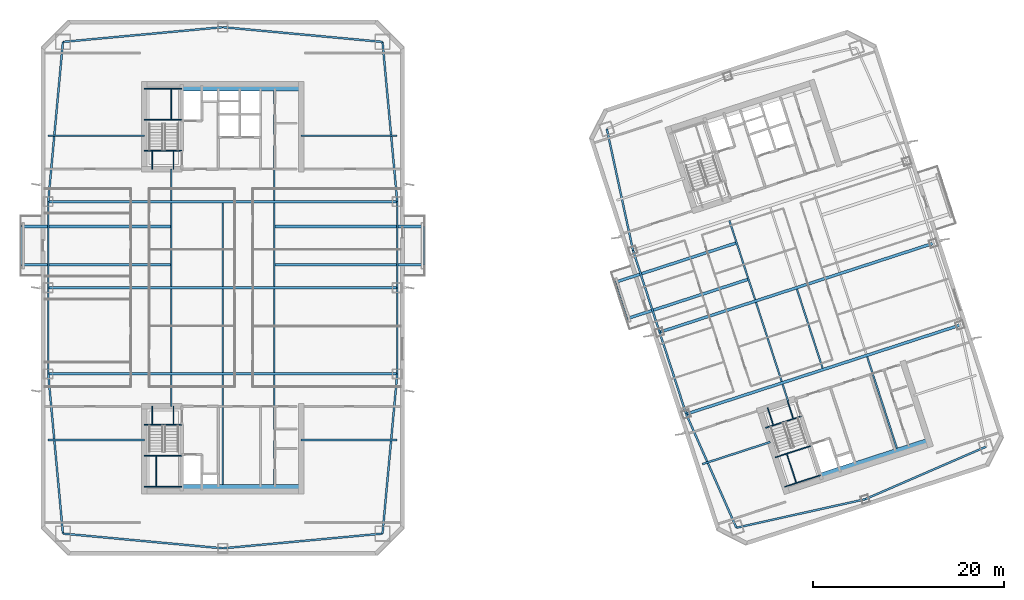
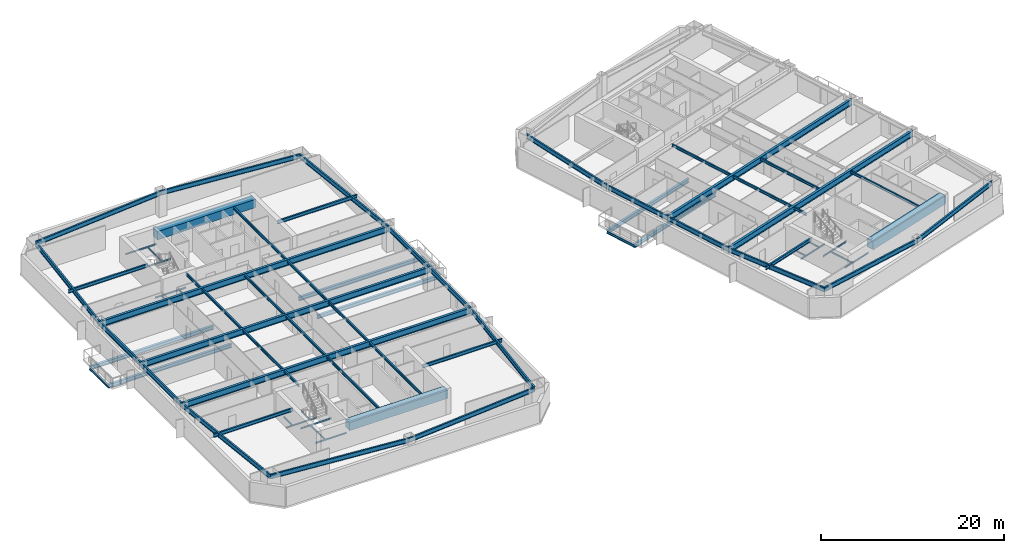
# One storey, part 3 of 17: 74 beams.
"""IFC4 building model written with IfcOpenShell, lengths in metres."""

from ifc_helpers import new_model, si_unit, direction, frame, origin, origin_2d, place, context, subcontext, project, spatial, rectangle, i_section, extrude, material, material_profile, profile_set, type_object, element, save


model = new_model("IFC4")

# Units and contexts
model_context = context("Model", 3, precision=1e-05, world=origin(), true_north=direction((0.0, 1.0)))
body_context = subcontext(model_context, "Body", "Model", "MODEL_VIEW")
ifc_project = project(units=[si_unit("LENGTHUNIT", "METRE"), si_unit("AREAUNIT", "SQUARE_METRE"), si_unit("VOLUMEUNIT", "CUBIC_METRE"), si_unit("PLANEANGLEUNIT", "RADIAN"), si_unit("MASSUNIT", "GRAM", prefix="KILO")], contexts=[model_context])

# Site, building, storey
site_placement = place(None, origin())
site = spatial("IfcSite", under=ifc_project, at=site_placement, CompositionType="ELEMENT")
building_placement = place(site_placement, origin())
building = spatial("IfcBuilding", under=site, at=building_placement, Name="Qiaolan Cultural Towers", CompositionType="ELEMENT")
storey_placement = place(building_placement, frame((0.0, 0.0, 142.60009765625)))
storey = spatial("IfcBuildingStorey", under=building, at=storey_placement, Name="L37", CompositionType="ELEMENT", Elevation=142.60009765625)

# Beams
ifc_material_1 = material(Name="Steel Q355B", Category="steel")
ifc_material_profile_1 = material_profile(ifc_material_1, i_section(OverallWidth=0.300048828125, OverallDepth=0.488037109375, WebThickness=0.010986328125, FlangeThickness=0.01806640625, at=origin_2d()), Name="HM488x300x11x18")
ifc_profile_set_1 = profile_set([ifc_material_profile_1], Name="Steel Q355B")
beam_type_1 = type_object("IfcBeamType", Name="BM-HM488x300x11x18", PredefinedType="BEAM", material=ifc_profile_set_1)
for number, where, z_axis, x_axis, name in (
    (1, (24.60009765625, 36.39990234375, -0.524169921875), (-1.0, 0.0, 0.0), (0.0, -1.0, 0.0), "L37 T1 Tree Balcony Back-Spanned Bracket Beam"),
    (2, (24.60009765625, 40.39990234375, -0.524169921875), (-1.0, 0.0, 0.0), (0.0, -1.0, 0.0), "L37 T1 Tree Balcony Back-Spanned Bracket Beam"),
    (3, (35.39990234375, 36.39990234375, -0.524169921875), (1.0, 0.0, 0.0), (0.0, 1.0, 0.0), "L37 T1 Tree Balcony Back-Spanned Bracket Beam"),
    (4, (35.39990234375, 40.39990234375, -0.524169921875), (1.0, 0.0, 0.0), (0.0, 1.0, 0.0), "L37 T1 Tree Balcony Back-Spanned Bracket Beam"),
):
    element("IfcBeam", number, at=place(storey_placement, frame(where, z_axis=z_axis, x_axis=x_axis)), inside=storey, type_object=beam_type_1, Name=name, PredefinedType="BEAM", context=body_context, shape_type="SweptSolid", body=[
        extrude(i_section(OverallWidth=0.300048828125, OverallDepth=0.488037109375, WebThickness=0.010986328125, FlangeThickness=0.01806640625, at=origin_2d()), origin(), (0.0, 0.0, 1.0), 15.650146484375),
    ])
for number, where, z_axis, x_axis, name in (
    (5, (84.978515625, 34.891845703125, -0.524169921875), (-0.951058928428, -0.309009570496, 0.0), (0.309009570496, -0.951058928428, 0.0), "L37 T2 Tree Balcony Back-Spanned Bracket Beam"),
    (6, (83.742431640625, 38.6962890625, -0.524169921875), (-0.951053553769, -0.309026111943, 0.0), (0.309026111943, -0.951053553769, 0.0), "L37 T2 Tree Balcony Back-Spanned Bracket Beam"),
):
    element("IfcBeam", number, at=place(storey_placement, frame(where, z_axis=z_axis, x_axis=x_axis)), inside=storey, type_object=beam_type_1, Name=name, PredefinedType="BEAM", context=body_context, shape_type="SweptSolid", body=[
        extrude(i_section(OverallWidth=0.300048828125, OverallDepth=0.488037109375, WebThickness=0.010986328125, FlangeThickness=0.01806640625, at=origin_2d()), origin(), (0.0, 0.0, 1.0), 13.349853515625),
    ])
ifc_material_2 = material(Name="Steel Q355B", Category="steel")
ifc_material_profile_2 = material_profile(ifc_material_2, i_section(OverallWidth=0.300048828125, OverallDepth=0.800048828125, WebThickness=0.013916015625, FlangeThickness=0.02587890625, at=origin_2d()), Name="HN800x300x14x26")
ifc_profile_set_2 = profile_set([ifc_material_profile_2], Name="Steel Q355B")
beam_type_2 = type_object("IfcBeamType", Name="BM-HN800x300x14x26", PredefinedType="BEAM", material=ifc_profile_set_2)
for number, where, z_axis, x_axis, name in (
    (7, (11.75, 25.0, 2.789794921875), (1.0, 0.0, 0.0), (0.0, 1.0, 0.0), "L37 T1 Primary Transverse Girder V1"),
    (8, (11.75, 34.0, 2.789794921875), (1.0, 0.0, 0.0), (0.0, 1.0, 0.0), "L37 T1 Primary Transverse Girder V2"),
    (9, (11.75, 43.0, 2.789794921875), (1.0, 0.0, 0.0), (0.0, 1.0, 0.0), "L37 T1 Primary Transverse Girder V3"),
):
    element("IfcBeam", number, at=place(storey_placement, frame(where, z_axis=z_axis, x_axis=x_axis)), inside=storey, type_object=beam_type_2, Name=name, PredefinedType="BEAM", context=body_context, shape_type="SweptSolid", body=[
        extrude(i_section(OverallWidth=0.300048828125, OverallDepth=0.800048828125, WebThickness=0.013916015625, FlangeThickness=0.02587890625, at=origin_2d()), origin(), (0.0, 0.0, 1.0), 36.5),
    ])
beam_1_placement = place(storey_placement, frame((78.4677734375, 20.789794921875, 2.789794921875), z_axis=(0.951055226628, 0.309020963535, 0.0), x_axis=(-0.309020963535, 0.951055226628, 0.0)))
element("IfcBeam", 10, at=beam_1_placement, inside=storey, type_object=beam_type_2, Name="L37 T2 Primary Transverse Girder V1", PredefinedType="BEAM", context=body_context, shape_type="SweptSolid", body=[
    extrude(i_section(OverallWidth=0.300048828125, OverallDepth=0.800048828125, WebThickness=0.013916015625, FlangeThickness=0.02587890625, at=origin_2d()), origin(), (0.0, 0.0, 1.0), 30.099853515625),
])
beam_2_placement = place(storey_placement, frame((75.6865234375, 29.349365234375, 2.789794921875), z_axis=(0.951058384903, 0.309011243331, 0.0), x_axis=(-0.309011243331, 0.951058384903, 0.0)))
element("IfcBeam", 11, at=beam_2_placement, inside=storey, type_object=beam_type_2, Name="L37 T2 Primary Transverse Girder V2", PredefinedType="BEAM", context=body_context, shape_type="SweptSolid", body=[
    extrude(i_section(OverallWidth=0.300048828125, OverallDepth=0.800048828125, WebThickness=0.013916015625, FlangeThickness=0.02587890625, at=origin_2d()), origin(), (0.0, 0.0, 1.0), 30.10009765625),
])
ifc_material_3 = material(Name="Steel Q355B", Category="steel")
ifc_material_profile_3 = material_profile(ifc_material_3, i_section(OverallWidth=0.175048828125, OverallDepth=0.35009765625, WebThickness=0.007080078125, FlangeThickness=0.010986328125, at=origin_2d()), Name="HN350x175x7x11")
ifc_profile_set_3 = profile_set([ifc_material_profile_3], Name="Steel Q355B")
beam_type_3 = type_object("IfcBeamType", Name="BM-JST-HN350x175x7x11", PredefinedType="JOIST", material=ifc_profile_set_3)
for number, where, z_axis, x_axis, name in (
    (12, (8.949951171875, 36.39990234375, -0.524169921875), (0.0, 1.0, 0.0), (-1.0, 0.0, 0.0), "L37 T1 Tree Balcony Outer Edge Beam"),
    (13, (51.050048828125, 36.39990234375, -0.524169921875), (0.0, 1.0, 0.0), (-1.0, 0.0, 0.0), "L37 T1 Tree Balcony Outer Edge Beam"),
    (14, (72.281982421875, 30.7666015625, -0.524169921875), (-0.309022586479, 0.951054699292, 0.0), (-0.951054699292, -0.309022586479, 0.0), "L37 T2 Tree Balcony Outer Edge Beam"),
):
    element("IfcBeam", number, at=place(storey_placement, frame(where, z_axis=z_axis, x_axis=x_axis)), inside=storey, type_object=beam_type_3, Name=name, PredefinedType="JOIST", context=body_context, shape_type="SweptSolid", body=[
        extrude(i_section(OverallWidth=0.175048828125, OverallDepth=0.35009765625, WebThickness=0.007080078125, FlangeThickness=0.010986328125, at=origin_2d()), origin(), (0.0, 0.0, 1.0), 4.0),
    ])
beam_3_placement = place(storey_placement, frame((24.60009765625, 21.60009765625, 3.014892578125), z_axis=(0.0, 1.0, 0.0), x_axis=(-1.0, 0.0, 0.0)))
element("IfcBeam", 15, at=beam_3_placement, inside=storey, type_object=beam_type_3, Name="L37 T1 Secondary Floor Joist U1-1", PredefinedType="JOIST", context=body_context, shape_type="SweptSolid", body=[
    extrude(i_section(OverallWidth=0.175048828125, OverallDepth=0.35009765625, WebThickness=0.007080078125, FlangeThickness=0.010986328125, at=origin_2d()), origin(), (0.0, 0.0, 1.0), 3.25),
])
for number, where, z_axis, x_axis, name in (
    (16, (24.60009765625, 25.14990234375, 3.014892578125), (0.0, 1.0, 0.0), (-1.0, 0.0, 0.0), "L37 T1 Secondary Floor Joist U1-2"),
    (17, (24.60009765625, 34.14990234375, 3.014892578125), (0.0, 1.0, 0.0), (-1.0, 0.0, 0.0), "L37 T1 Secondary Floor Joist U1-3"),
):
    element("IfcBeam", number, at=place(storey_placement, frame(where, z_axis=z_axis, x_axis=x_axis)), inside=storey, type_object=beam_type_3, Name=name, PredefinedType="JOIST", context=body_context, shape_type="SweptSolid", body=[
        extrude(i_section(OverallWidth=0.175048828125, OverallDepth=0.35009765625, WebThickness=0.007080078125, FlangeThickness=0.010986328125, at=origin_2d()), origin(), (0.0, 0.0, 1.0), 8.7001953125),
    ])
beam_4_placement = place(storey_placement, frame((24.60009765625, 43.14990234375, 3.014892578125), z_axis=(0.0, 1.0, 0.0), x_axis=(-1.0, 0.0, 0.0)))
element("IfcBeam", 18, at=beam_4_placement, inside=storey, type_object=beam_type_3, Name="L37 T1 Secondary Floor Joist U1-4", PredefinedType="JOIST", context=body_context, shape_type="SweptSolid", body=[
    extrude(i_section(OverallWidth=0.175048828125, OverallDepth=0.35009765625, WebThickness=0.007080078125, FlangeThickness=0.010986328125, at=origin_2d()), origin(), (0.0, 0.0, 1.0), 3.25),
])
beam_5_placement = place(storey_placement, frame((30.0, 13.39990234375, 3.014892578125), z_axis=(0.0, 1.0, 0.0), x_axis=(-1.0, 0.0, 0.0)))
element("IfcBeam", 19, at=beam_5_placement, inside=storey, type_object=beam_type_3, Name="L37 T1 Secondary Floor Joist U2-1", PredefinedType="JOIST", context=body_context, shape_type="SweptSolid", body=[
    extrude(i_section(OverallWidth=0.175048828125, OverallDepth=0.35009765625, WebThickness=0.007080078125, FlangeThickness=0.010986328125, at=origin_2d()), origin(), (0.0, 0.0, 1.0), 11.4501953125),
])
for number, where, z_axis, x_axis, name in (
    (20, (30.0, 25.14990234375, 3.014892578125), (0.0, 1.0, 0.0), (-1.0, 0.0, 0.0), "L37 T1 Secondary Floor Joist U2-2"),
    (21, (30.0, 34.14990234375, 3.014892578125), (0.0, 1.0, 0.0), (-1.0, 0.0, 0.0), "L37 T1 Secondary Floor Joist U2-3"),
):
    element("IfcBeam", number, at=place(storey_placement, frame(where, z_axis=z_axis, x_axis=x_axis)), inside=storey, type_object=beam_type_3, Name=name, PredefinedType="JOIST", context=body_context, shape_type="SweptSolid", body=[
        extrude(i_section(OverallWidth=0.175048828125, OverallDepth=0.35009765625, WebThickness=0.007080078125, FlangeThickness=0.010986328125, at=origin_2d()), origin(), (0.0, 0.0, 1.0), 8.7001953125),
    ])
beam_6_placement = place(storey_placement, frame((35.39990234375, 13.39990234375, 3.014892578125), z_axis=(0.0, 1.0, 0.0), x_axis=(-1.0, 0.0, 0.0)))
element("IfcBeam", 22, at=beam_6_placement, inside=storey, type_object=beam_type_3, Name="L37 T1 Secondary Floor Joist U3-1", PredefinedType="JOIST", context=body_context, shape_type="SweptSolid", body=[
    extrude(i_section(OverallWidth=0.175048828125, OverallDepth=0.35009765625, WebThickness=0.007080078125, FlangeThickness=0.010986328125, at=origin_2d()), origin(), (0.0, 0.0, 1.0), 11.4501953125),
])
for number, where, z_axis, x_axis, name in (
    (23, (35.39990234375, 25.14990234375, 3.014892578125), (0.0, 1.0, 0.0), (-1.0, 0.0, 0.0), "L37 T1 Secondary Floor Joist U3-2"),
    (24, (35.39990234375, 34.14990234375, 3.014892578125), (0.0, 1.0, 0.0), (-1.0, 0.0, 0.0), "L37 T1 Secondary Floor Joist U3-3"),
):
    element("IfcBeam", number, at=place(storey_placement, frame(where, z_axis=z_axis, x_axis=x_axis)), inside=storey, type_object=beam_type_3, Name=name, PredefinedType="JOIST", context=body_context, shape_type="SweptSolid", body=[
        extrude(i_section(OverallWidth=0.175048828125, OverallDepth=0.35009765625, WebThickness=0.007080078125, FlangeThickness=0.010986328125, at=origin_2d()), origin(), (0.0, 0.0, 1.0), 8.7001953125),
    ])
beam_7_placement = place(storey_placement, frame((35.39990234375, 43.14990234375, 3.014892578125), z_axis=(0.0, 1.0, 0.0), x_axis=(-1.0, 0.0, 0.0)))
element("IfcBeam", 25, at=beam_7_placement, inside=storey, type_object=beam_type_3, Name="L37 T1 Secondary Floor Joist U3-4", PredefinedType="JOIST", context=body_context, shape_type="SweptSolid", body=[
    extrude(i_section(OverallWidth=0.175048828125, OverallDepth=0.35009765625, WebThickness=0.007080078125, FlangeThickness=0.010986328125, at=origin_2d()), origin(), (0.0, 0.0, 1.0), 11.4501953125),
])
beam_8_placement = place(storey_placement, frame((89.119384765625, 22.147705078125, 3.014892578125), z_axis=(-0.308933885266, 0.951083516067, 0.0), x_axis=(-0.951083516067, -0.308933885266, 0.0)))
element("IfcBeam", 26, at=beam_8_placement, inside=storey, type_object=beam_type_3, Name="L37 T2 Secondary Floor Joist U1-1", PredefinedType="JOIST", context=body_context, shape_type="SweptSolid", body=[
    extrude(i_section(OverallWidth=0.175048828125, OverallDepth=0.35009765625, WebThickness=0.007080078125, FlangeThickness=0.010986328125, at=origin_2d()), origin(), (0.0, 0.0, 1.0), 1.85009765625),
])
for number, where, z_axis, x_axis, name in (
    (27, (88.455078125, 24.192626953125, 3.014892578125), (-0.309020714809, 0.951055307445, 0.0), (-0.951055307445, -0.309020714809, 0.0), "L37 T2 Secondary Floor Joist U1-2"),
    (28, (85.673828125, 32.752197265625, 3.014892578125), (-0.309020714809, 0.951055307445, 0.0), (-0.951055307445, -0.309020714809, 0.0), "L37 T2 Secondary Floor Joist U1-3"),
    (29, (92.73486328125, 25.583251953125, 3.014892578125), (-0.309020714809, 0.951055307445, 0.0), (-0.951055307445, -0.309020714809, 0.0), "L37 T2 Secondary Floor Joist U2-2"),
):
    element("IfcBeam", number, at=place(storey_placement, frame(where, z_axis=z_axis, x_axis=x_axis)), inside=storey, type_object=beam_type_3, Name=name, PredefinedType="JOIST", context=body_context, shape_type="SweptSolid", body=[
        extrude(i_section(OverallWidth=0.175048828125, OverallDepth=0.35009765625, WebThickness=0.007080078125, FlangeThickness=0.010986328125, at=origin_2d()), origin(), (0.0, 0.0, 1.0), 8.699951171875),
    ])
beam_9_placement = place(storey_placement, frame((100.498291015625, 17.222900390625, 3.014892578125), z_axis=(-0.309025649293, 0.951053704098, 0.0), x_axis=(-0.951053704098, -0.309025649293, 0.0)))
element("IfcBeam", 30, at=beam_9_placement, inside=storey, type_object=beam_type_3, Name="L37 T2 Secondary Floor Joist U3-1", PredefinedType="JOIST", context=body_context, shape_type="SweptSolid", body=[
    extrude(i_section(OverallWidth=0.175048828125, OverallDepth=0.35009765625, WebThickness=0.007080078125, FlangeThickness=0.010986328125, at=origin_2d()), origin(), (0.0, 0.0, 1.0), 10.050048828125),
])
ifc_material_4 = material(Name="Steel Q355B", Category="steel")
ifc_material_profile_4 = material_profile(ifc_material_4, i_section(OverallWidth=0.199951171875, OverallDepth=0.449951171875, WebThickness=0.009033203125, FlangeThickness=0.013916015625, at=origin_2d()), Name="HN450x200x9x14")
ifc_profile_set_4 = profile_set([ifc_material_profile_4], Name="Steel Q355B")
beam_type_4 = type_object("IfcBeamType", Name="BM-LNT-HN450x200x9x14", PredefinedType="LINTEL", material=ifc_profile_set_4)
for number, where, z_axis, x_axis, name in (
    (31, (21.800048828125, 18.10009765625, 2.96484375), (-1.0, 0.0, 0.0), (0.0, -1.0, 0.0), "L37 T1 Core Flank Tie Lintel WS"),
    (32, (21.800048828125, 49.89990234375, 2.96484375), (-1.0, 0.0, 0.0), (0.0, -1.0, 0.0), "L37 T1 Core Flank Tie Lintel WN"),
    (33, (38.199951171875, 18.10009765625, 2.96484375), (1.0, 0.0, 0.0), (0.0, 1.0, 0.0), "L37 T1 Core Flank Tie Lintel ES"),
    (34, (38.199951171875, 49.89990234375, 2.96484375), (1.0, 0.0, 0.0), (0.0, 1.0, 0.0), "L37 T1 Core Flank Tie Lintel EN"),
):
    element("IfcBeam", number, at=place(storey_placement, frame(where, z_axis=z_axis, x_axis=x_axis)), inside=storey, type_object=beam_type_4, Name=name, PredefinedType="LINTEL", context=body_context, shape_type="SweptSolid", body=[
        extrude(i_section(OverallWidth=0.199951171875, OverallDepth=0.449951171875, WebThickness=0.009033203125, FlangeThickness=0.013916015625, at=origin_2d()), origin(), (0.0, 0.0, 1.0), 10.050048828125),
    ])
beam_10_placement = place(storey_placement, frame((87.252685546875, 17.861083984375, 2.96484375), z_axis=(-0.951064407856, -0.308992705592, 0.0), x_axis=(0.308992705592, -0.951064407856, 0.0)))
element("IfcBeam", 35, at=beam_10_placement, inside=storey, type_object=beam_type_4, Name="L37 T2 Core Flank Tie Lintel WS", PredefinedType="LINTEL", context=body_context, shape_type="SweptSolid", body=[
    extrude(i_section(OverallWidth=0.199951171875, OverallDepth=0.449951171875, WebThickness=0.009033203125, FlangeThickness=0.013916015625, at=origin_2d()), origin(), (0.0, 0.0, 1.0), 7.449951171875),
])
ifc_material_5 = material(Name="Concrete C50", Category="concrete")
ifc_material_profile_5 = material_profile(ifc_material_5, rectangle(XDim=0.89990234375, YDim=1.10009765625, at=origin_2d()), Name="RC900x1100")
ifc_profile_set_5 = profile_set([ifc_material_profile_5], Name="Concrete C50")
beam_type_5 = type_object("IfcBeamType", Name="BM-RC900x1100", PredefinedType="BEAM", material=ifc_profile_set_5)
for number, where, z_axis, x_axis, name in (
    (36, (25.719970703125, 12.949951171875, 2.639892578125), (1.0, 0.0, 0.0), (0.0, 1.0, 0.0), "L37 T1 Core Header Girder S"),
    (37, (25.719970703125, 55.050048828125, 2.639892578125), (1.0, 0.0, 0.0), (0.0, 1.0, 0.0), "L37 T1 Core Header Girder N"),
):
    element("IfcBeam", number, at=place(storey_placement, frame(where, z_axis=z_axis, x_axis=x_axis)), inside=storey, type_object=beam_type_5, Name=name, PredefinedType="BEAM", context=body_context, shape_type="SweptSolid", body=[
        extrude(rectangle(XDim=0.89990234375, YDim=1.10009765625, at=origin_2d()), origin(), (0.0, 0.0, 1.0), 12.47998046875),
    ])
beam_11_placement = place(storey_placement, frame((92.572265625, 14.174560546875, 2.639892578125), z_axis=(0.951056266386, 0.309017763514, 0.0), x_axis=(-0.309017763514, 0.951056266386, 0.0)))
element("IfcBeam", 38, at=beam_11_placement, inside=storey, type_object=beam_type_5, Name="L37 T2 Core Header Girder S", PredefinedType="BEAM", context=body_context, shape_type="SweptSolid", body=[
    extrude(rectangle(XDim=0.89990234375, YDim=1.10009765625, at=origin_2d()), origin(), (0.0, 0.0, 1.0), 11.880126953125),
])
ifc_material_6 = material(Name="Steel Q355B", Category="steel")
ifc_material_profile_6 = material_profile(ifc_material_6, i_section(OverallWidth=0.199951171875, OverallDepth=0.60009765625, WebThickness=0.010986328125, FlangeThickness=0.01708984375, at=origin_2d()), Name="HN600x200x11x17")
ifc_profile_set_6 = profile_set([ifc_material_profile_6], Name="Steel Q355B")
beam_type_6 = type_object("IfcBeamType", Name="BM-SPD-HN600x200x11x17", PredefinedType="SPANDREL", material=ifc_profile_set_6)
for number, where, z_axis, x_axis, name in (
    (39, (13.2900390625, 8.2900390625, 2.889892578125), (0.995779862064, -0.09177399582, 0.0), (0.09177399582, 0.995779862064, 0.0), "L37 T1 Perimeter Spandrel Beam 1"),
    (40, (30.0, 6.75, 2.889892578125), (0.995779862064, 0.09177399582, 0.0), (-0.09177399582, 0.995779862064, 0.0), "L37 T1 Perimeter Spandrel Beam 2"),
    (41, (46.7099609375, 8.2900390625, 2.889892578125), (0.09177399582, 0.995779862064, 0.0), (-0.995779862064, 0.09177399582, 0.0), "L37 T1 Perimeter Spandrel Beam 3"),
):
    element("IfcBeam", number, at=place(storey_placement, frame(where, z_axis=z_axis, x_axis=x_axis)), inside=storey, type_object=beam_type_6, Name=name, PredefinedType="SPANDREL", context=body_context, shape_type="SweptSolid", body=[
        extrude(i_section(OverallWidth=0.199951171875, OverallDepth=0.60009765625, WebThickness=0.010986328125, FlangeThickness=0.01708984375, at=origin_2d()), origin(), (0.0, 0.0, 1.0), 16.78076171875),
    ])
for number, where, z_axis, x_axis, name in (
    (42, (48.25, 25.0, 2.889892578125), (0.0, 1.0, 0.0), (-1.0, 0.0, 0.0), "L37 T1 Perimeter Spandrel Beam 4"),
    (43, (48.25, 34.0, 2.889892578125), (0.0, 1.0, 0.0), (-1.0, 0.0, 0.0), "L37 T1 Perimeter Spandrel Beam 5"),
):
    element("IfcBeam", number, at=place(storey_placement, frame(where, z_axis=z_axis, x_axis=x_axis)), inside=storey, type_object=beam_type_6, Name=name, PredefinedType="SPANDREL", context=body_context, shape_type="SweptSolid", body=[
        extrude(i_section(OverallWidth=0.199951171875, OverallDepth=0.60009765625, WebThickness=0.010986328125, FlangeThickness=0.01708984375, at=origin_2d()), origin(), (0.0, 0.0, 1.0), 9.0),
    ])
for number, where, z_axis, x_axis, name in (
    (44, (48.25, 43.0, 2.889892578125), (-0.09177399582, 0.995779862064, 0.0), (-0.995779862064, -0.09177399582, 0.0), "L37 T1 Perimeter Spandrel Beam 6"),
    (45, (46.7099609375, 59.7099609375, 2.889892578125), (-0.995779862064, 0.09177399582, 0.0), (-0.09177399582, -0.995779862064, 0.0), "L37 T1 Perimeter Spandrel Beam 7"),
    (46, (30.0, 61.25, 2.889892578125), (-0.995779862064, -0.09177399582, 0.0), (0.09177399582, -0.995779862064, 0.0), "L37 T1 Perimeter Spandrel Beam 8"),
    (47, (13.2900390625, 59.7099609375, 2.889892578125), (-0.09177399582, -0.995779862064, 0.0), (0.995779862064, -0.09177399582, 0.0), "L37 T1 Perimeter Spandrel Beam 9"),
):
    element("IfcBeam", number, at=place(storey_placement, frame(where, z_axis=z_axis, x_axis=x_axis)), inside=storey, type_object=beam_type_6, Name=name, PredefinedType="SPANDREL", context=body_context, shape_type="SweptSolid", body=[
        extrude(i_section(OverallWidth=0.199951171875, OverallDepth=0.60009765625, WebThickness=0.010986328125, FlangeThickness=0.01708984375, at=origin_2d()), origin(), (0.0, 0.0, 1.0), 16.78076171875),
    ])
for number, where, z_axis, x_axis, name in (
    (48, (11.75, 43.0, 2.889892578125), (0.0, -1.0, 0.0), (1.0, 0.0, 0.0), "L37 T1 Perimeter Spandrel Beam 10"),
    (49, (11.75, 34.0, 2.889892578125), (0.0, -1.0, 0.0), (1.0, 0.0, 0.0), "L37 T1 Perimeter Spandrel Beam 11"),
):
    element("IfcBeam", number, at=place(storey_placement, frame(where, z_axis=z_axis, x_axis=x_axis)), inside=storey, type_object=beam_type_6, Name=name, PredefinedType="SPANDREL", context=body_context, shape_type="SweptSolid", body=[
        extrude(i_section(OverallWidth=0.199951171875, OverallDepth=0.60009765625, WebThickness=0.010986328125, FlangeThickness=0.01708984375, at=origin_2d()), origin(), (0.0, 0.0, 1.0), 9.0),
    ])
beam_12_placement = place(storey_placement, frame((11.75, 25.0, 2.889892578125), z_axis=(0.09177399582, -0.995779862064, 0.0), x_axis=(0.995779862064, 0.09177399582, 0.0)))
element("IfcBeam", 50, at=beam_12_placement, inside=storey, type_object=beam_type_6, Name="L37 T1 Perimeter Spandrel Beam 12", PredefinedType="SPANDREL", context=body_context, shape_type="SweptSolid", body=[
    extrude(i_section(OverallWidth=0.199951171875, OverallDepth=0.60009765625, WebThickness=0.010986328125, FlangeThickness=0.01708984375, at=origin_2d()), origin(), (0.0, 0.0, 1.0), 16.78076171875),
])
beam_13_placement = place(storey_placement, frame((83.71875, 8.900634765625, 2.889892578125), z_axis=(0.976265293399, 0.216578108094, 0.0), x_axis=(-0.216578108094, 0.976265293399, 0.0)))
element("IfcBeam", 51, at=beam_13_placement, inside=storey, type_object=beam_type_6, Name="L37 T2 Perimeter Spandrel Beam 1", PredefinedType="SPANDREL", context=body_context, shape_type="SweptSolid", body=[
    extrude(i_section(OverallWidth=0.199951171875, OverallDepth=0.60009765625, WebThickness=0.010986328125, FlangeThickness=0.01708984375, at=origin_2d()), origin(), (0.0, 0.0, 1.0), 13.793212890625),
])
beam_14_placement = place(storey_placement, frame((97.1845703125, 11.887939453125, 2.889892578125), z_axis=(0.917117043091, 0.398618024268, 0.0), x_axis=(-0.398618024268, 0.917117043091, 0.0)))
element("IfcBeam", 52, at=beam_14_placement, inside=storey, type_object=beam_type_6, Name="L37 T2 Perimeter Spandrel Beam 2", PredefinedType="SPANDREL", context=body_context, shape_type="SweptSolid", body=[
    extrude(i_section(OverallWidth=0.199951171875, OverallDepth=0.60009765625, WebThickness=0.010986328125, FlangeThickness=0.01708984375, at=origin_2d()), origin(), (0.0, 0.0, 1.0), 13.79345703125),
])
beam_15_placement = place(storey_placement, frame((70.165283203125, 50.61376953125, 2.889892578125), z_axis=(0.210832241173, -0.977522258612, 0.0), x_axis=(0.977522258612, 0.210832241173, 0.0)))
element("IfcBeam", 53, at=beam_15_placement, inside=storey, type_object=beam_type_6, Name="L37 T2 Perimeter Spandrel Beam 9", PredefinedType="SPANDREL", context=body_context, shape_type="SweptSolid", body=[
    extrude(i_section(OverallWidth=0.199951171875, OverallDepth=0.60009765625, WebThickness=0.010986328125, FlangeThickness=0.01708984375, at=origin_2d()), origin(), (0.0, 0.0, 1.0), 12.997314453125),
])
beam_16_placement = place(storey_placement, frame((72.905517578125, 37.90869140625, 2.889892578125), z_axis=(0.309008170129, -0.951059383421, 0.0), x_axis=(0.951059383421, 0.309008170129, 0.0)))
element("IfcBeam", 54, at=beam_16_placement, inside=storey, type_object=beam_type_6, Name="L37 T2 Perimeter Spandrel Beam 10", PredefinedType="SPANDREL", context=body_context, shape_type="SweptSolid", body=[
    extrude(i_section(OverallWidth=0.199951171875, OverallDepth=0.60009765625, WebThickness=0.010986328125, FlangeThickness=0.01708984375, at=origin_2d()), origin(), (0.0, 0.0, 1.0), 8.999755859375),
])
beam_17_placement = place(storey_placement, frame((75.6865234375, 29.349365234375, 2.889892578125), z_axis=(0.309024734286, -0.951054001411, 0.0), x_axis=(0.951054001411, 0.309024734286, 0.0)))
element("IfcBeam", 55, at=beam_17_placement, inside=storey, type_object=beam_type_6, Name="L37 T2 Perimeter Spandrel Beam 11", PredefinedType="SPANDREL", context=body_context, shape_type="SweptSolid", body=[
    extrude(i_section(OverallWidth=0.199951171875, OverallDepth=0.60009765625, WebThickness=0.010986328125, FlangeThickness=0.01708984375, at=origin_2d()), origin(), (0.0, 0.0, 1.0), 9.0),
])
beam_18_placement = place(storey_placement, frame((78.4677734375, 20.789794921875, 2.889892578125), z_axis=(0.404011070002, -0.914754095545, 0.0), x_axis=(0.914754095545, 0.404011070002, 0.0)))
element("IfcBeam", 56, at=beam_18_placement, inside=storey, type_object=beam_type_6, Name="L37 T2 Perimeter Spandrel Beam 12", PredefinedType="SPANDREL", context=body_context, shape_type="SweptSolid", body=[
    extrude(i_section(OverallWidth=0.199951171875, OverallDepth=0.60009765625, WebThickness=0.010986328125, FlangeThickness=0.01708984375, at=origin_2d()), origin(), (0.0, 0.0, 1.0), 12.9970703125),
])
ifc_material_7 = material(Name="Steel Q355B", Category="steel")
ifc_material_profile_7 = material_profile(ifc_material_7, i_section(OverallWidth=0.10009765625, OverallDepth=0.199951171875, WebThickness=0.005615234375, FlangeThickness=0.008056640625, at=origin_2d()), Name="HN200x100x5.5x8")
ifc_profile_set_7 = profile_set([ifc_material_profile_7], Name="Steel Q355B")
beam_type_7 = type_object("IfcBeamType", Name="BM-STTRIM-200", PredefinedType="BEAM", material=ifc_profile_set_7)
beam_19_placement = place(storey_placement, frame((21.800048828125, 19.659912109375, -0.460205078125), z_axis=(1.0, 0.0, 0.0), x_axis=(0.0, 1.0, 0.0)))
element("IfcBeam", 57, at=beam_19_placement, inside=storey, type_object=beam_type_7, Name="L37 ST-W1 Floor Landing Header Beam", PredefinedType="BEAM", context=body_context, shape_type="SweptSolid", body=[
    extrude(i_section(OverallWidth=0.10009765625, OverallDepth=0.199951171875, WebThickness=0.005615234375, FlangeThickness=0.008056640625, at=origin_2d()), origin(), (0.0, 0.0, 1.0), 3.919921875),
])
for number, where, z_axis, x_axis, name in (
    (58, (22.64990234375, 21.60009765625, -0.460205078125), (0.0, -1.0, 0.0), (1.0, 0.0, 0.0), "L37 ST-W1 Floor Landing Stringer 1"),
    (59, (24.85009765625, 21.60009765625, -0.460205078125), (0.0, -1.0, 0.0), (1.0, 0.0, 0.0), "L37 ST-W1 Floor Landing Stringer 2"),
):
    element("IfcBeam", number, at=place(storey_placement, frame(where, z_axis=z_axis, x_axis=x_axis)), inside=storey, type_object=beam_type_7, Name=name, PredefinedType="BEAM", context=body_context, shape_type="SweptSolid", body=[
        extrude(i_section(OverallWidth=0.10009765625, OverallDepth=0.199951171875, WebThickness=0.005615234375, FlangeThickness=0.008056640625, at=origin_2d()), origin(), (0.0, 0.0, 1.0), 1.940185546875),
    ])
for number, where, z_axis, x_axis, name in (
    (60, (21.800048828125, 16.411376953125, 1.4248046875), (1.0, 0.0, 0.0), (0.0, 1.0, 0.0), "L37 ST-W1 Stair Landing Support Beam 1-1"),
    (61, (21.800048828125, 13.179931640625, 1.4248046875), (1.0, 0.0, 0.0), (0.0, 1.0, 0.0), "L37 ST-W1 Stair Landing Support Beam 1-2"),
):
    element("IfcBeam", number, at=place(storey_placement, frame(where, z_axis=z_axis, x_axis=x_axis)), inside=storey, type_object=beam_type_7, Name=name, PredefinedType="BEAM", context=body_context, shape_type="SweptSolid", body=[
        extrude(i_section(OverallWidth=0.10009765625, OverallDepth=0.199951171875, WebThickness=0.005615234375, FlangeThickness=0.008056640625, at=origin_2d()), origin(), (0.0, 0.0, 1.0), 3.919921875),
    ])
beam_20_placement = place(storey_placement, frame((23.070068359375, 16.411376953125, 1.4248046875), z_axis=(0.0, -1.0, 0.0), x_axis=(1.0, 0.0, 0.0)))
element("IfcBeam", 62, at=beam_20_placement, inside=storey, type_object=beam_type_7, Name="L37 ST-W1 Stair Landing Trimmer 1", PredefinedType="BEAM", context=body_context, shape_type="SweptSolid", body=[
    extrude(i_section(OverallWidth=0.10009765625, OverallDepth=0.199951171875, WebThickness=0.005615234375, FlangeThickness=0.008056640625, at=origin_2d()), origin(), (0.0, 0.0, 1.0), 3.2314453125),
])
beam_21_placement = place(storey_placement, frame((21.800048828125, 48.340087890625, -0.460205078125), z_axis=(1.0, 0.0, 0.0), x_axis=(0.0, 1.0, 0.0)))
element("IfcBeam", 63, at=beam_21_placement, inside=storey, type_object=beam_type_7, Name="L37 ST-W2 Floor Landing Header Beam", PredefinedType="BEAM", context=body_context, shape_type="SweptSolid", body=[
    extrude(i_section(OverallWidth=0.10009765625, OverallDepth=0.199951171875, WebThickness=0.005615234375, FlangeThickness=0.008056640625, at=origin_2d()), origin(), (0.0, 0.0, 1.0), 3.919921875),
])
for number, where, z_axis, x_axis, name in (
    (64, (22.64990234375, 46.39990234375, -0.460205078125), (0.0, 1.0, 0.0), (-1.0, 0.0, 0.0), "L37 ST-W2 Floor Landing Stringer 1"),
    (65, (24.85009765625, 46.39990234375, -0.460205078125), (0.0, 1.0, 0.0), (-1.0, 0.0, 0.0), "L37 ST-W2 Floor Landing Stringer 2"),
):
    element("IfcBeam", number, at=place(storey_placement, frame(where, z_axis=z_axis, x_axis=x_axis)), inside=storey, type_object=beam_type_7, Name=name, PredefinedType="BEAM", context=body_context, shape_type="SweptSolid", body=[
        extrude(i_section(OverallWidth=0.10009765625, OverallDepth=0.199951171875, WebThickness=0.005615234375, FlangeThickness=0.008056640625, at=origin_2d()), origin(), (0.0, 0.0, 1.0), 1.940185546875),
    ])
for number, where, z_axis, x_axis, name in (
    (66, (21.800048828125, 51.588623046875, 1.4248046875), (1.0, 0.0, 0.0), (0.0, 1.0, 0.0), "L37 ST-W2 Stair Landing Support Beam 1-1"),
    (67, (21.800048828125, 54.820068359375, 1.4248046875), (1.0, 0.0, 0.0), (0.0, 1.0, 0.0), "L37 ST-W2 Stair Landing Support Beam 1-2"),
):
    element("IfcBeam", number, at=place(storey_placement, frame(where, z_axis=z_axis, x_axis=x_axis)), inside=storey, type_object=beam_type_7, Name=name, PredefinedType="BEAM", context=body_context, shape_type="SweptSolid", body=[
        extrude(i_section(OverallWidth=0.10009765625, OverallDepth=0.199951171875, WebThickness=0.005615234375, FlangeThickness=0.008056640625, at=origin_2d()), origin(), (0.0, 0.0, 1.0), 3.919921875),
    ])
beam_22_placement = place(storey_placement, frame((24.610107421875, 51.588623046875, 1.4248046875), z_axis=(0.0, 1.0, 0.0), x_axis=(-1.0, 0.0, 0.0)))
element("IfcBeam", 68, at=beam_22_placement, inside=storey, type_object=beam_type_7, Name="L37 ST-W2 Stair Landing Trimmer 1", PredefinedType="BEAM", context=body_context, shape_type="SweptSolid", body=[
    extrude(i_section(OverallWidth=0.10009765625, OverallDepth=0.199951171875, WebThickness=0.005615234375, FlangeThickness=0.008056640625, at=origin_2d()), origin(), (0.0, 0.0, 1.0), 3.2314453125),
])
beam_23_placement = place(storey_placement, frame((86.770751953125, 19.3447265625, -0.460205078125), z_axis=(0.951047798727, 0.309043823005, 0.0), x_axis=(-0.309043823005, 0.951047798727, 0.0)))
element("IfcBeam", 69, at=beam_23_placement, inside=storey, type_object=beam_type_7, Name="L37 ST-E1 Floor Landing Header Beam", PredefinedType="BEAM", context=body_context, shape_type="SweptSolid", body=[
    extrude(i_section(OverallWidth=0.10009765625, OverallDepth=0.199951171875, WebThickness=0.005615234375, FlangeThickness=0.008056640625, at=origin_2d()), origin(), (0.0, 0.0, 1.0), 3.919921875),
])
for number, where, z_axis, x_axis, name in (
    (70, (86.9794921875, 21.452392578125, -0.460205078125), (0.309083226701, -0.951034993558, 0.0), (0.951034993558, 0.309083226701, 0.0), "L37 ST-E1 Floor Landing Stringer 1"),
    (71, (89.07177734375, 22.13232421875, -0.460205078125), (0.309083226701, -0.951034993558, 0.0), (0.951034993558, 0.309083226701, 0.0), "L37 ST-E1 Floor Landing Stringer 2"),
):
    element("IfcBeam", number, at=place(storey_placement, frame(where, z_axis=z_axis, x_axis=x_axis)), inside=storey, type_object=beam_type_7, Name=name, PredefinedType="BEAM", context=body_context, shape_type="SweptSolid", body=[
        extrude(i_section(OverallWidth=0.10009765625, OverallDepth=0.199951171875, WebThickness=0.005615234375, FlangeThickness=0.008056640625, at=origin_2d()), origin(), (0.0, 0.0, 1.0), 1.93994140625),
    ])
for number, where, z_axis, x_axis, name in (
    (72, (87.774658203125, 16.255126953125, 1.4248046875), (0.951047798727, 0.309043823005, 0.0), (-0.309043823005, 0.951047798727, 0.0), "L37 ST-E1 Stair Landing Support Beam 1-1"),
    (73, (88.773193359375, 13.181884765625, 1.4248046875), (0.951047798727, 0.309043823005, 0.0), (-0.309043823005, 0.951047798727, 0.0), "L37 ST-E1 Stair Landing Support Beam 1-2"),
):
    element("IfcBeam", number, at=place(storey_placement, frame(where, z_axis=z_axis, x_axis=x_axis)), inside=storey, type_object=beam_type_7, Name=name, PredefinedType="BEAM", context=body_context, shape_type="SweptSolid", body=[
        extrude(i_section(OverallWidth=0.10009765625, OverallDepth=0.199951171875, WebThickness=0.005615234375, FlangeThickness=0.008056640625, at=origin_2d()), origin(), (0.0, 0.0, 1.0), 3.919921875),
    ])
beam_24_placement = place(storey_placement, frame((88.982421875, 16.6474609375, 1.4248046875), z_axis=(0.309033108495, -0.951051280349, 0.0), x_axis=(0.951051280349, 0.309033108495, 0.0)))
element("IfcBeam", 74, at=beam_24_placement, inside=storey, type_object=beam_type_7, Name="L37 ST-E1 Stair Landing Trimmer 1", PredefinedType="BEAM", context=body_context, shape_type="SweptSolid", body=[
    extrude(i_section(OverallWidth=0.10009765625, OverallDepth=0.199951171875, WebThickness=0.005615234375, FlangeThickness=0.008056640625, at=origin_2d()), origin(), (0.0, 0.0, 1.0), 3.231201171875),
])

save(model, "model.ifc")
